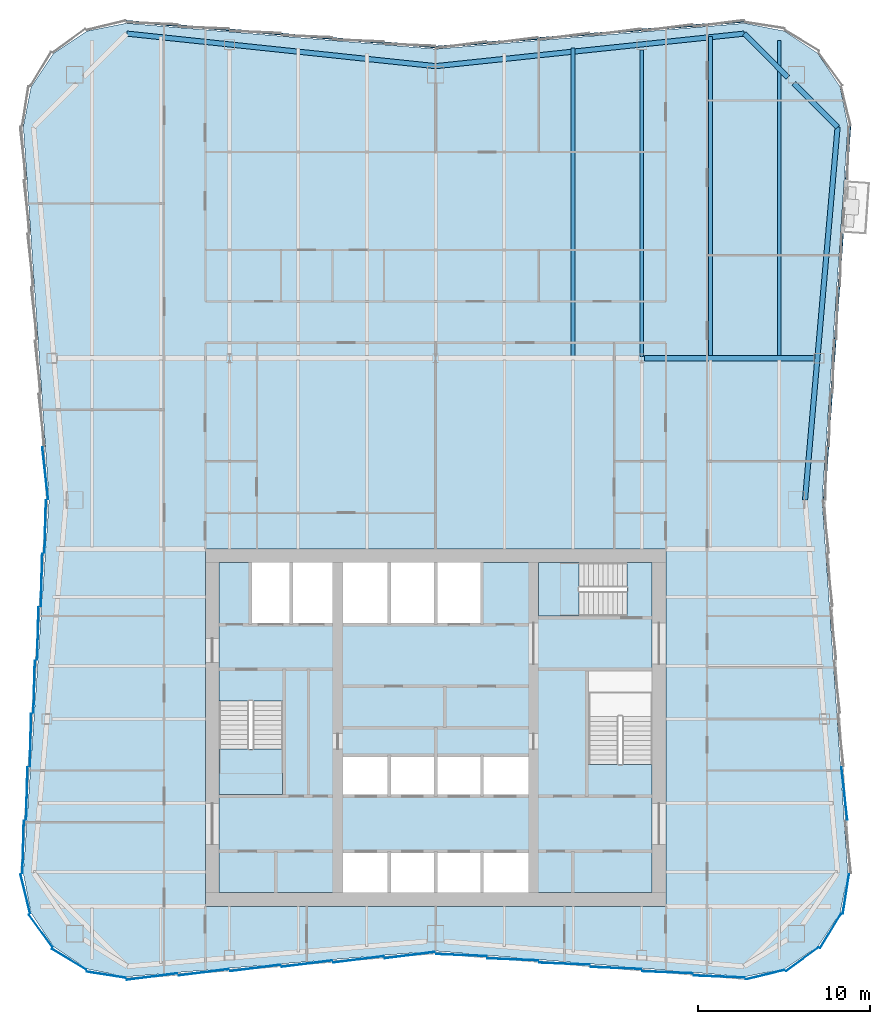
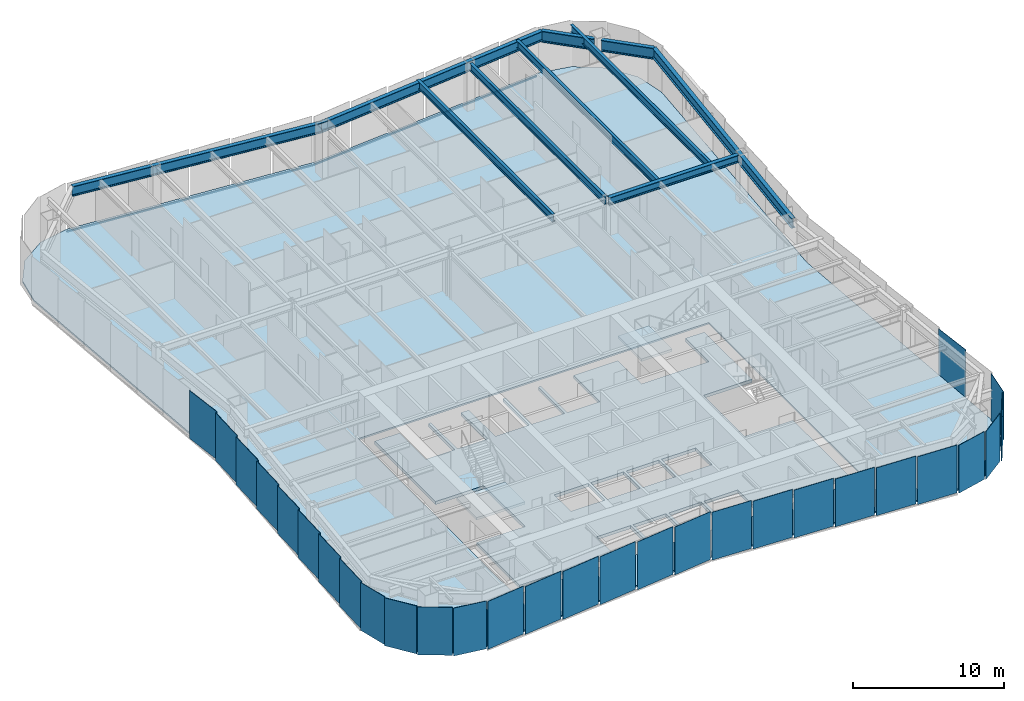
# One storey, part 4 of 12: 29 plates, 10 beams, 4 members, 4 slabs, 8 elements without a shape of their own.
"""IFC4 building model written with IfcOpenShell, lengths in metres."""

from ifc_helpers import new_model, si_unit, direction, frame, origin, origin_2d, place, context, subcontext, project, spatial, polyline, rectangle, i_section, outline, extrude, material, layer, layer_set, material_profile, profile_set, type_object, element, aggregate, save


model = new_model("IFC4")

# Units and contexts
model_context = context("Model", 3, precision=1e-05, world=origin(), true_north=direction((0.0, 1.0)))
body_context = subcontext(model_context, "Body", "Model", "MODEL_VIEW")
ifc_project = project(units=[si_unit("LENGTHUNIT", "METRE"), si_unit("AREAUNIT", "SQUARE_METRE"), si_unit("VOLUMEUNIT", "CUBIC_METRE"), si_unit("PLANEANGLEUNIT", "RADIAN"), si_unit("MASSUNIT", "GRAM", prefix="KILO")], contexts=[model_context])

# Site, building, storey
site_placement = place(None, origin())
site = spatial("IfcSite", under=ifc_project, at=site_placement, CompositionType="ELEMENT")
building_placement = place(site_placement, origin())
building = spatial("IfcBuilding", under=site, at=building_placement, Name="Verdant Reach Tower", CompositionType="ELEMENT")
storey_placement = place(building_placement, frame((0.0, 0.0, 242.0)))
storey = spatial("IfcBuildingStorey", under=building, at=storey_placement, Name="L55", CompositionType="ELEMENT", Elevation=242.0)

# Curtain wall, members
ifc_material_1 = material(Name="Anodised aluminium", Category="aluminium")
curtain_wall_type = type_object("IfcCurtainWallType", Name="EN-CW SYSTEM Z4", PredefinedType="NOTDEFINED", material=ifc_material_1)
curtain_wall_1_placement = place(storey_placement, origin())
curtain_wall_1 = element("IfcCurtainWall", 1, at=curtain_wall_1_placement, inside=storey, type_object=curtain_wall_type, Name="Curtain wall east, L55", PredefinedType="NOTDEFINED")
ifc_material_profile_1 = material_profile(ifc_material_1, rectangle(XDim=0.10009765625, YDim=0.1279296875, at=origin_2d()), Name="Transom 128x100")
ifc_profile_set_1 = profile_set([ifc_material_profile_1], Name="Anodised aluminium")
member_type = type_object("IfcMemberType", Name="EN-TRANSOM Z4", PredefinedType="USERDEFINED", material=ifc_profile_set_1)
member_1_placement = place(storey_placement, frame((22.6142578125, 41.283935546875, -0.285888671875), z_axis=(0.068829665926, 0.997628426363, 0.0), x_axis=(-0.997628426363, 0.068829665926, 0.0)))
member_1 = element("IfcMember", 2, at=member_1_placement, type_object=member_type, Name="Transom east face part 2 1.1, L55", ObjectType="TRANSOM", PredefinedType="USERDEFINED", context=body_context, shape_type="SweptSolid", body=[
    extrude(rectangle(XDim=0.10009765625, YDim=0.1279296875, at=origin_2d()), origin(), (0.0, 0.0, 1.0), 15.4970703125),
])
member_2_placement = place(storey_placement, frame((23.899658203125, 59.919189453125, -0.285888671875), z_axis=(0.068509214601, 0.997650483644, 0.0), x_axis=(-0.997650483644, 0.068509214601, 0.0)))
member_2 = element("IfcMember", 3, at=member_2_placement, type_object=member_type, Name="Transom east face part 2 2.1, L55", ObjectType="TRANSOM", PredefinedType="USERDEFINED", context=body_context, shape_type="SweptSolid", body=[
    extrude(rectangle(XDim=0.10009765625, YDim=0.1279296875, at=origin_2d()), origin(), (0.0, 0.0, 1.0), 3.06103515625),
])

curtain_wall_2_placement = place(storey_placement, origin())
curtain_wall_2 = element("IfcCurtainWall", 4, at=curtain_wall_2_placement, inside=storey, type_object=curtain_wall_type, Name="Curtain wall north, L55", PredefinedType="NOTDEFINED")
member_3_placement = place(storey_placement, frame((17.972412109375, 69.10888671875, -0.285888671875), z_axis=(-0.996549124771, -0.083005071637, 0.0), x_axis=(0.083005071637, -0.996549124771, 0.0)))
member_3 = element("IfcMember", 5, at=member_3_placement, type_object=member_type, Name="Transom north face part 1 1.1, L55", ObjectType="TRANSOM", PredefinedType="USERDEFINED", context=body_context, shape_type="SweptSolid", body=[
    extrude(rectangle(XDim=0.10009765625, YDim=0.1279296875, at=origin_2d()), origin(), (0.0, 0.0, 1.0), 18.00048828125),
])
member_4_placement = place(storey_placement, frame((-0.033935546875, 67.61474609375, -0.285888671875), z_axis=(-0.996549124771, 0.083005071637, 0.0), x_axis=(-0.083005071637, -0.996549124771, 0.0)))
member_4 = element("IfcMember", 6, at=member_4_placement, type_object=member_type, Name="Transom north face part 2 1.1, L55", ObjectType="TRANSOM", PredefinedType="USERDEFINED", context=body_context, shape_type="SweptSolid", body=[
    extrude(rectangle(XDim=0.10009765625, YDim=0.1279296875, at=origin_2d()), origin(), (0.0, 0.0, 1.0), 18.00048828125),
])
aggregate(curtain_wall_2, [member_3, member_4])

# Beams
ifc_material_2 = material(Name="Steel S355", Category="steel")
ifc_material_profile_2 = material_profile(ifc_material_2, i_section(OverallWidth=0.300048828125, OverallDepth=0.60009765625, WebThickness=0.015380859375, FlangeThickness=0.030029296875, FilletRadius=0.027099609375, at=origin_2d()), Name="HEB 600")
ifc_profile_set_2 = profile_set([ifc_material_profile_2], Name="Steel S355")
beam_type_1 = type_object("IfcBeamType", Name="ST-BEAM-HEB600", PredefinedType="BEAM", material=ifc_profile_set_2)
beam_1_placement = place(storey_placement, frame((12.153076171875, 49.5, 3.570068359375), z_axis=(1.0, 0.0, 0.0), x_axis=(0.0, 1.0, 0.0)))
element("IfcBeam", 7, at=beam_1_placement, inside=storey, type_object=beam_type_1, Name="Row girder, L55", PredefinedType="BEAM", context=body_context, shape_type="SweptSolid", body=[
    extrude(i_section(OverallWidth=0.300048828125, OverallDepth=0.60009765625, WebThickness=0.015380859375, FlangeThickness=0.030029296875, FilletRadius=0.027099609375, at=origin_2d()), origin(), (0.0, 0.0, 1.0), 9.865966796875),
])
ifc_material_profile_3 = material_profile(ifc_material_2, i_section(OverallWidth=0.219970703125, OverallDepth=0.60009765625, WebThickness=0.011962890625, FlangeThickness=0.01904296875, FilletRadius=0.02392578125, at=origin_2d()), Name="IPE 600")
ifc_profile_set_3 = profile_set([ifc_material_profile_3], Name="Steel S355")
beam_type_2 = type_object("IfcBeamType", Name="ST-JOIST-IPE600", PredefinedType="JOIST", material=ifc_profile_set_3)
beam_2_placement = place(storey_placement, frame((8.0, 49.60009765625, 3.570068359375), z_axis=(0.0, 1.0, 0.0), x_axis=(-1.0, 0.0, 0.0)))
element("IfcBeam", 8, at=beam_2_placement, inside=storey, type_object=beam_type_2, Name="Floor joist, L55", PredefinedType="JOIST", context=body_context, shape_type="SweptSolid", body=[
    extrude(i_section(OverallWidth=0.219970703125, OverallDepth=0.60009765625, WebThickness=0.011962890625, FlangeThickness=0.01904296875, FilletRadius=0.02392578125, at=origin_2d()), origin(), (0.0, 0.0, 1.0), 17.964599609375),
])
beam_3_placement = place(storey_placement, frame((12.0, 49.60009765625, 3.570068359375), z_axis=(0.0, 1.0, 0.0), x_axis=(-1.0, 0.0, 0.0)))
element("IfcBeam", 9, at=beam_3_placement, inside=storey, type_object=beam_type_2, Name="Floor joist, L55", PredefinedType="JOIST", context=body_context, shape_type="SweptSolid", body=[
    extrude(i_section(OverallWidth=0.219970703125, OverallDepth=0.60009765625, WebThickness=0.011962890625, FlangeThickness=0.01904296875, FilletRadius=0.02392578125, at=origin_2d()), origin(), (0.0, 0.0, 1.0), 17.849853515625),
])
beam_4_placement = place(storey_placement, frame((16.0, 49.60009765625, 3.570068359375), z_axis=(0.0, 1.0, 0.0), x_axis=(-1.0, 0.0, 0.0)))
element("IfcBeam", 10, at=beam_4_placement, inside=storey, type_object=beam_type_2, Name="Floor joist, L55", PredefinedType="JOIST", context=body_context, shape_type="SweptSolid", body=[
    extrude(i_section(OverallWidth=0.219970703125, OverallDepth=0.60009765625, WebThickness=0.011962890625, FlangeThickness=0.01904296875, FilletRadius=0.02392578125, at=origin_2d()), origin(), (0.0, 0.0, 1.0), 18.631103515625),
])
beam_5_placement = place(storey_placement, frame((20.0, 49.60009765625, 3.570068359375), z_axis=(0.0, 1.0, 0.0), x_axis=(-1.0, 0.0, 0.0)))
element("IfcBeam", 11, at=beam_5_placement, inside=storey, type_object=beam_type_2, Name="Floor joist, L55", PredefinedType="JOIST", context=body_context, shape_type="SweptSolid", body=[
    extrude(i_section(OverallWidth=0.219970703125, OverallDepth=0.60009765625, WebThickness=0.011962890625, FlangeThickness=0.01904296875, FilletRadius=0.02392578125, at=origin_2d()), origin(), (0.0, 0.0, 1.0), 18.390380859375),
])
ifc_material_profile_4 = material_profile(ifc_material_2, i_section(OverallWidth=0.300048828125, OverallDepth=0.800048828125, WebThickness=0.017578125, FlangeThickness=0.032958984375, FilletRadius=0.030029296875, at=origin_2d()), Name="HEB 800")
ifc_profile_set_4 = profile_set([ifc_material_profile_4], Name="Steel S355")
beam_type_3 = type_object("IfcBeamType", Name="ST-SPANDREL-HEB800", PredefinedType="SPANDREL", material=ifc_profile_set_4)
for number, where, z_axis, x_axis, name in (
    (12, (-17.9658203125, 68.39501953125, 3.469970703125), (0.994483067002, -0.104897232783, 0.0), (0.104897232783, 0.994483067002, 0.0), "Edge beam, L55"),
    (13, (0.0, 66.5, 3.469970703125), (0.994483067002, 0.104897232783, 0.0), (-0.104897232783, 0.994483067002, 0.0), "Edge beam, L55"),
):
    element("IfcBeam", number, at=place(storey_placement, frame(where, z_axis=z_axis, x_axis=x_axis)), inside=storey, type_object=beam_type_3, Name=name, PredefinedType="SPANDREL", context=body_context, shape_type="SweptSolid", body=[
        extrude(i_section(OverallWidth=0.300048828125, OverallDepth=0.800048828125, WebThickness=0.017578125, FlangeThickness=0.032958984375, FilletRadius=0.030029296875, at=origin_2d()), origin(), (0.0, 0.0, 1.0), 18.0654296875),
    ])
beam_6_placement = place(storey_placement, frame((23.39599609375, 62.96142578125, 3.469970703125), z_axis=(-0.086996024331, -0.996208658741, 0.0), x_axis=(0.996208658741, -0.086996024331, 0.0)))
element("IfcBeam", 14, at=beam_6_placement, inside=storey, type_object=beam_type_3, Name="Edge beam, L55", PredefinedType="SPANDREL", context=body_context, shape_type="SweptSolid", body=[
    extrude(i_section(OverallWidth=0.300048828125, OverallDepth=0.800048828125, WebThickness=0.017578125, FlangeThickness=0.032958984375, FilletRadius=0.030029296875, at=origin_2d()), origin(), (0.0, 0.0, 1.0), 21.7939453125),
])
ifc_material_profile_5 = material_profile(ifc_material_2, i_section(OverallWidth=0.302001953125, OverallDepth=0.909912109375, WebThickness=0.02099609375, FlangeThickness=0.0400390625, FilletRadius=0.030029296875, at=origin_2d()), Name="HEM 900")
ifc_profile_set_5 = profile_set([ifc_material_profile_5], Name="Steel S355")
beam_type_4 = type_object("IfcBeamType", Name="ST-SPANDREL-HEM900", PredefinedType="SPANDREL", material=ifc_profile_set_5)
beam_7_placement = place(storey_placement, frame((17.9658203125, 68.39501953125, 3.4150390625), z_axis=(0.706868394255, -0.707345087777, 0.0), x_axis=(0.707345087777, 0.706868394255, 0.0)))
element("IfcBeam", 15, at=beam_7_placement, inside=storey, type_object=beam_type_4, Name="Edge beam, L55", PredefinedType="SPANDREL", context=body_context, shape_type="SweptSolid", body=[
    extrude(i_section(OverallWidth=0.302001953125, OverallDepth=0.909912109375, WebThickness=0.02099609375, FlangeThickness=0.0400390625, FilletRadius=0.030029296875, at=origin_2d()), origin(), (0.0, 0.0, 1.0), 3.5849609375),
])
beam_8_placement = place(storey_placement, frame((20.85888671875, 65.5, 3.4150390625), z_axis=(0.706902680526, -0.707310822952, 0.0), x_axis=(0.707310822952, 0.706902680526, 0.0)))
element("IfcBeam", 16, at=beam_8_placement, inside=storey, type_object=beam_type_4, Name="Edge beam, L55", PredefinedType="SPANDREL", context=body_context, shape_type="SweptSolid", body=[
    extrude(i_section(OverallWidth=0.302001953125, OverallDepth=0.909912109375, WebThickness=0.02099609375, FlangeThickness=0.0400390625, FilletRadius=0.030029296875, at=origin_2d()), origin(), (0.0, 0.0, 1.0), 3.589111328125),
])

# Stair, slab
ifc_material_3 = material(Name="Concrete C40/50", Category="concrete")
stair_type = type_object("IfcStairType", Name="CO-STAIR", PredefinedType="HALF_TURN_STAIR", material=ifc_material_3)
stair_1_placement = place(storey_placement, origin())
stair_1 = element("IfcStair", 17, at=stair_1_placement, inside=storey, type_object=stair_type, Name="L55 Exit stair 1", PredefinedType="HALF_TURN_STAIR")
ifc_layer_1 = layer(ifc_material_3, 0.199951171875)
ifc_layer_set_1 = layer_set([ifc_layer_1], Name="CO-STAIR-LANDING")
slab_type_1 = type_object("IfcSlabType", Name="CO-STAIR-LANDING", PredefinedType="LANDING", material=ifc_layer_set_1)
slab_1_placement = place(storey_placement, frame((0.0, 0.0, 1.800048828125)))
slab_1 = element("IfcSlab", 18, at=slab_1_placement, type_object=slab_type_1, Name="ST-1 landing 1", PredefinedType="LANDING", context=body_context, shape_type="SweptSolid", body=[
    extrude(outline(polyline([(-12.60009765625, 26.75), (-12.60009765625, 24.10009765625), (-8.89990234375, 24.10009765625), (-8.89990234375, 26.75), (-12.60009765625, 26.75)])), origin(), (0.0, 0.0, 1.0), 0.199951171875),
])
aggregate(stair_1, [slab_1])

stair_2_placement = place(storey_placement, origin())
stair_2 = element("IfcStair", 19, at=stair_2_placement, inside=storey, type_object=stair_type, Name="L55 Exit stair 3", PredefinedType="HALF_TURN_STAIR")
slab_2_placement = place(storey_placement, frame((0.0, 0.0, 1.800048828125)))
slab_2 = element("IfcSlab", 20, at=slab_2_placement, type_object=slab_type_1, Name="ST-3 landing 1", PredefinedType="LANDING", context=body_context, shape_type="SweptSolid", body=[
    extrude(outline(polyline([(8.35009765625, 37.60009765625), (6.0, 37.60009765625), (6.0, 34.5), (8.35009765625, 34.5), (8.35009765625, 37.60009765625)])), origin(), (0.0, 0.0, 1.0), 0.199951171875),
])
aggregate(stair_2, [slab_2])

# Curtain wall, plates
curtain_wall_3_placement = place(storey_placement, origin())
curtain_wall_3 = element("IfcCurtainWall", 21, at=curtain_wall_3_placement, inside=storey, type_object=curtain_wall_type, Name="Curtain wall west, L55", PredefinedType="NOTDEFINED")
ifc_material_4 = material(Name="Tinted glass with champagne spandrel", Category="glass")
ifc_layer_2 = layer(ifc_material_4, 0.031982421875)
ifc_layer_set_2 = layer_set([ifc_layer_2], Name="EN-PANEL CHAMPAGNE")
plate_type_1 = type_object("IfcPlateType", Name="EN-PANEL CHAMPAGNE", PredefinedType="CURTAIN_PANEL", material=ifc_layer_set_2)
plate_1_placement = place(storey_placement, frame((-22.718994140625, 42.7998046875, -0.221923828125), z_axis=(0.0, 0.0, 1.0), x_axis=(0.110603065042, -0.993864659802, 0.0)))
plate_1 = element("IfcPlate", 22, at=plate_1_placement, type_object=plate_type_1, Name="Glass panel west face part 1 7.1, L55", PredefinedType="CURTAIN_PANEL", context=body_context, shape_type="SweptSolid", body=[
    extrude(rectangle(XDim=3.042724609375, YDim=0.031982421875, at=origin_2d()), origin(), (0.0, 0.0, 1.0), 3.8720703125),
])
plate_2_placement = place(storey_placement, frame((-22.718994140625, 39.7001953125, -0.221923828125), z_axis=(0.0, 0.0, 1.0), x_axis=(-0.027050713229, -0.999634062502, 0.0)))
plate_2 = element("IfcPlate", 23, at=plate_2_placement, type_object=plate_type_1, Name="Glass panel west face part 2 1.1, L55", PredefinedType="CURTAIN_PANEL", context=body_context, shape_type="SweptSolid", body=[
    extrude(rectangle(XDim=3.042724609375, YDim=0.031982421875, at=origin_2d()), origin(), (0.0, 0.0, 1.0), 3.8720703125),
])
plate_3_placement = place(storey_placement, frame((-22.93310546875, 36.596923828125, -0.221923828125), z_axis=(0.0, 0.0, 1.0), x_axis=(-0.026965318308, -0.999636369691, 0.0)))
plate_3 = element("IfcPlate", 24, at=plate_3_placement, type_object=plate_type_1, Name="Glass panel west face part 2 2.1, L55", PredefinedType="CURTAIN_PANEL", context=body_context, shape_type="SweptSolid", body=[
    extrude(rectangle(XDim=3.050537109375, YDim=0.031982421875, at=origin_2d()), origin(), (0.0, 0.0, 1.0), 3.8720703125),
])
plate_4_placement = place(storey_placement, frame((-23.1474609375, 33.48974609375, -0.221923828125), z_axis=(0.0, 0.0, 1.0), x_axis=(-0.026965318308, -0.999636369691, 0.0)))
plate_4 = element("IfcPlate", 25, at=plate_4_placement, type_object=plate_type_1, Name="Glass panel west face part 2 3.1, L55", PredefinedType="CURTAIN_PANEL", context=body_context, shape_type="SweptSolid", body=[
    extrude(rectangle(XDim=3.050537109375, YDim=0.031982421875, at=origin_2d()), origin(), (0.0, 0.0, 1.0), 3.8720703125),
])

# Curtain wall, plate
curtain_wall_4_placement = place(storey_placement, origin())
curtain_wall_4 = element("IfcCurtainWall", 26, at=curtain_wall_4_placement, inside=storey, type_object=curtain_wall_type, Name="Curtain wall south-west corner, L55", PredefinedType="NOTDEFINED")
plate_5_placement = place(storey_placement, frame((-23.87939453125, 18.326904296875, -0.221923828125), z_axis=(0.0, 0.0, 1.0), x_axis=(0.236458850433, -0.971641503875, 0.0)))
plate_5 = element("IfcPlate", 27, at=plate_5_placement, type_object=plate_type_1, Name="Glass panel south-west corner 1.1, L55", PredefinedType="CURTAIN_PANEL", context=body_context, shape_type="SweptSolid", body=[
    extrude(rectangle(XDim=2.313720703125, YDim=0.031982421875, at=origin_2d()), origin(), (0.0, 0.0, 1.0), 3.8720703125),
])

# Curtain wall, plates
curtain_wall_5_placement = place(storey_placement, origin())
curtain_wall_5 = element("IfcCurtainWall", 28, at=curtain_wall_5_placement, inside=storey, type_object=curtain_wall_type, Name="Curtain wall south, L55", PredefinedType="NOTDEFINED")
plate_6_placement = place(storey_placement, frame((-4.49072265625, 14.513427734375, -0.221923828125), z_axis=(0.0, 0.0, 1.0), x_axis=(0.992194034542, 0.124703639961, 0.0)))
plate_6 = element("IfcPlate", 29, at=plate_6_placement, type_object=plate_type_1, Name="Glass panel south face part 1 5.1, L55", PredefinedType="CURTAIN_PANEL", context=body_context, shape_type="SweptSolid", body=[
    extrude(rectangle(XDim=2.9462890625, YDim=0.031982421875, at=origin_2d()), origin(), (0.0, 0.0, 1.0), 3.8720703125),
])
plate_7_placement = place(storey_placement, frame((-1.495361328125, 14.76318359375, -0.221923828125), z_axis=(0.0, 0.0, 1.0), x_axis=(0.992177950603, 0.124831543836, 0.0)))
plate_7 = element("IfcPlate", 30, at=plate_7_placement, type_object=plate_type_1, Name="Glass panel south face part 1 6.1, L55", PredefinedType="CURTAIN_PANEL", context=body_context, shape_type="SweptSolid", body=[
    extrude(rectangle(XDim=2.93701171875, YDim=0.031982421875, at=origin_2d()), origin(), (0.0, 0.0, 1.0), 3.8720703125),
])
plate_8_placement = place(storey_placement, frame((1.495361328125, 14.76318359375, -0.221923828125), z_axis=(0.0, 0.0, 1.0), x_axis=(0.999143877249, -0.041370430933, 0.0)))
plate_8 = element("IfcPlate", 31, at=plate_8_placement, type_object=plate_type_1, Name="Glass panel south face part 2 1.1, L55", PredefinedType="CURTAIN_PANEL", context=body_context, shape_type="SweptSolid", body=[
    extrude(rectangle(XDim=2.93701171875, YDim=0.031982421875, at=origin_2d()), origin(), (0.0, 0.0, 1.0), 3.8720703125),
])

curtain_wall_6_placement = place(storey_placement, origin())
curtain_wall_6 = element("IfcCurtainWall", 32, at=curtain_wall_6_placement, inside=storey, type_object=curtain_wall_type, Name="Curtain wall south-east corner, L55", PredefinedType="NOTDEFINED")
ifc_material_5 = material(Name="Tinted glass with copper spandrel", Category="glass")
ifc_layer_3 = layer(ifc_material_5, 0.031982421875)
ifc_layer_set_3 = layer_set([ifc_layer_3], Name="EN-PANEL COPPER")
plate_type_2 = type_object("IfcPlateType", Name="EN-PANEL COPPER", PredefinedType="CURTAIN_PANEL", material=ifc_layer_set_3)
plate_9_placement = place(storey_placement, frame((19.172607421875, 13.62060546875, -0.221923828125), z_axis=(0.0, 0.0, 1.0), x_axis=(0.971652337104, 0.236414330786, 0.0)))
plate_9 = element("IfcPlate", 33, at=plate_9_placement, type_object=plate_type_2, Name="Glass panel south-east corner 1.1, L55", PredefinedType="CURTAIN_PANEL", context=body_context, shape_type="SweptSolid", body=[
    extrude(rectangle(XDim=2.314453125, YDim=0.031982421875, at=origin_2d()), origin(), (0.0, 0.0, 1.0), 3.8720703125),
])
plate_10_placement = place(storey_placement, frame((21.330322265625, 14.515625, -0.221923828125), z_axis=(0.0, 0.0, 1.0), x_axis=(0.80745677573, 0.589926737254, 0.0)))
plate_10 = element("IfcPlate", 34, at=plate_10_placement, type_object=plate_type_2, Name="Glass panel south-east corner 2.1, L55", PredefinedType="CURTAIN_PANEL", context=body_context, shape_type="SweptSolid", body=[
    extrude(rectangle(XDim=2.32080078125, YDim=0.031982421875, at=origin_2d()), origin(), (0.0, 0.0, 1.0), 3.8720703125),
])

# Plate
plate_11_placement = place(storey_placement, frame((-23.36181640625, 30.3828125, -0.221923828125), z_axis=(0.0, 0.0, 1.0), x_axis=(-0.026965318308, -0.999636369691, 0.0)))
plate_11 = element("IfcPlate", 35, at=plate_11_placement, type_object=plate_type_2, Name="Glass panel west face part 2 4.1, L55", PredefinedType="CURTAIN_PANEL", context=body_context, shape_type="SweptSolid", body=[
    extrude(rectangle(XDim=3.050537109375, YDim=0.031982421875, at=origin_2d()), origin(), (0.0, 0.0, 1.0), 3.8720703125),
])

plate_12_placement = place(storey_placement, frame((-23.575927734375, 27.275634765625, -0.221923828125), z_axis=(0.0, 0.0, 1.0), x_axis=(-0.026965318308, -0.999636369691, 0.0)))
plate_12 = element("IfcPlate", 36, at=plate_12_placement, type_object=plate_type_2, Name="Glass panel west face part 2 5.1, L55", PredefinedType="CURTAIN_PANEL", context=body_context, shape_type="SweptSolid", body=[
    extrude(rectangle(XDim=3.050537109375, YDim=0.031982421875, at=origin_2d()), origin(), (0.0, 0.0, 1.0), 3.8720703125),
])

plate_13_placement = place(storey_placement, frame((-22.984375, 16.169677734375, -0.221923828125), z_axis=(0.0, 0.0, 1.0), x_axis=(0.589926737254, -0.80745677573, 0.0)))
plate_13 = element("IfcPlate", 37, at=plate_13_placement, type_object=plate_type_2, Name="Glass panel south-west corner 2.1, L55", PredefinedType="CURTAIN_PANEL", context=body_context, shape_type="SweptSolid", body=[
    extrude(rectangle(XDim=2.32080078125, YDim=0.031982421875, at=origin_2d()), origin(), (0.0, 0.0, 1.0), 3.8720703125),
])

plate_14_placement = place(storey_placement, frame((-21.330322265625, 14.515625, -0.221923828125), z_axis=(0.0, 0.0, 1.0), x_axis=(0.853988708265, -0.520291539577, 0.0)))
plate_14 = element("IfcPlate", 38, at=plate_14_placement, type_object=plate_type_2, Name="Glass panel south-west corner 3.1, L55", PredefinedType="CURTAIN_PANEL", context=body_context, shape_type="SweptSolid", body=[
    extrude(rectangle(XDim=2.32080078125, YDim=0.031982421875, at=origin_2d()), origin(), (0.0, 0.0, 1.0), 3.8720703125),
])

plate_15_placement = place(storey_placement, frame((-19.172607421875, 13.62060546875, -0.221923828125), z_axis=(0.0, 0.0, 1.0), x_axis=(0.98802725693, -0.154279420415, 0.0)))
plate_15 = element("IfcPlate", 39, at=plate_15_placement, type_object=plate_type_2, Name="Glass panel south-west corner 4.1, L55", PredefinedType="CURTAIN_PANEL", context=body_context, shape_type="SweptSolid", body=[
    extrude(rectangle(XDim=2.314453125, YDim=0.031982421875, at=origin_2d()), origin(), (0.0, 0.0, 1.0), 3.8720703125),
])

aggregate(curtain_wall_4, [plate_5, plate_13, plate_14, plate_15])

plate_16_placement = place(storey_placement, frame((-16.49853515625, 13.51318359375, -0.221923828125), z_axis=(0.0, 0.0, 1.0), x_axis=(0.992238962139, 0.124345655383, 0.0)))
plate_16 = element("IfcPlate", 40, at=plate_16_placement, type_object=plate_type_2, Name="Glass panel south face part 1 1.1, L55", PredefinedType="CURTAIN_PANEL", context=body_context, shape_type="SweptSolid", body=[
    extrude(rectangle(XDim=2.9619140625, YDim=0.031982421875, at=origin_2d()), origin(), (0.0, 0.0, 1.0), 3.8720703125),
])

plate_17_placement = place(storey_placement, frame((-13.49072265625, 13.763427734375, -0.221923828125), z_axis=(0.0, 0.0, 1.0), x_axis=(0.992194034542, 0.124703639961, 0.0)))
plate_17 = element("IfcPlate", 41, at=plate_17_placement, type_object=plate_type_2, Name="Glass panel south face part 1 2.1, L55", PredefinedType="CURTAIN_PANEL", context=body_context, shape_type="SweptSolid", body=[
    extrude(rectangle(XDim=2.9462890625, YDim=0.031982421875, at=origin_2d()), origin(), (0.0, 0.0, 1.0), 3.8720703125),
])

plate_18_placement = place(storey_placement, frame((4.49072265625, 14.513427734375, -0.221923828125), z_axis=(0.0, 0.0, 1.0), x_axis=(0.999149202059, -0.041241629766, 0.0)))
plate_18 = element("IfcPlate", 42, at=plate_18_placement, type_object=plate_type_2, Name="Glass panel south face part 2 2.1, L55", PredefinedType="CURTAIN_PANEL", context=body_context, shape_type="SweptSolid", body=[
    extrude(rectangle(XDim=2.9462890625, YDim=0.031982421875, at=origin_2d()), origin(), (0.0, 0.0, 1.0), 3.8720703125),
])

plate_19_placement = place(storey_placement, frame((7.49072265625, 14.263427734375, -0.221923828125), z_axis=(0.0, 0.0, 1.0), x_axis=(0.999149202059, -0.041241629766, 0.0)))
plate_19 = element("IfcPlate", 43, at=plate_19_placement, type_object=plate_type_2, Name="Glass panel south face part 2 3.1, L55", PredefinedType="CURTAIN_PANEL", context=body_context, shape_type="SweptSolid", body=[
    extrude(rectangle(XDim=2.9462890625, YDim=0.031982421875, at=origin_2d()), origin(), (0.0, 0.0, 1.0), 3.8720703125),
])

ifc_material_6 = material(Name="Tinted glass with dark bronze spandrel", Category="glass")
ifc_layer_4 = layer(ifc_material_6, 0.031982421875)
ifc_layer_set_4 = layer_set([ifc_layer_4], Name="EN-PANEL DARK")
plate_type_3 = type_object("IfcPlateType", Name="EN-PANEL DARK", PredefinedType="CURTAIN_PANEL", material=ifc_layer_set_4)
plate_20_placement = place(storey_placement, frame((22.984375, 16.169677734375, -0.221923828125), z_axis=(0.0, 0.0, 1.0), x_axis=(0.520291539577, 0.853988708265, 0.0)))
plate_20 = element("IfcPlate", 44, at=plate_20_placement, type_object=plate_type_3, Name="Glass panel south-east corner 3.1, L55", PredefinedType="CURTAIN_PANEL", context=body_context, shape_type="SweptSolid", body=[
    extrude(rectangle(XDim=2.32080078125, YDim=0.031982421875, at=origin_2d()), origin(), (0.0, 0.0, 1.0), 3.8720703125),
])

plate_21_placement = place(storey_placement, frame((23.87939453125, 18.326904296875, -0.221923828125), z_axis=(0.0, 0.0, 1.0), x_axis=(0.154324690427, 0.988020187003, 0.0)))
plate_21 = element("IfcPlate", 45, at=plate_21_placement, type_object=plate_type_3, Name="Glass panel south-east corner 4.1, L55", PredefinedType="CURTAIN_PANEL", context=body_context, shape_type="SweptSolid", body=[
    extrude(rectangle(XDim=2.313720703125, YDim=0.031982421875, at=origin_2d()), origin(), (0.0, 0.0, 1.0), 3.8720703125),
])

aggregate(curtain_wall_6, [plate_9, plate_10, plate_20, plate_21])

plate_22_placement = place(storey_placement, frame((23.790283203125, 24.16845703125, -0.221923828125), z_axis=(0.0, 0.0, 1.0), x_axis=(-0.110518162674, 0.993874104562, 0.0)))
plate_22 = element("IfcPlate", 46, at=plate_22_placement, type_object=plate_type_3, Name="Glass panel east face part 1 2.1, L55", PredefinedType="CURTAIN_PANEL", context=body_context, shape_type="SweptSolid", body=[
    extrude(rectangle(XDim=3.050537109375, YDim=0.031982421875, at=origin_2d()), origin(), (0.0, 0.0, 1.0), 3.8720703125),
])

aggregate(curtain_wall_1, [plate_22, member_1, member_2])

plate_23_placement = place(storey_placement, frame((-23.790283203125, 24.16845703125, -0.221923828125), z_axis=(0.0, 0.0, 1.0), x_axis=(-0.026965318308, -0.999636369691, 0.0)))
plate_23 = element("IfcPlate", 47, at=plate_23_placement, type_object=plate_type_3, Name="Glass panel west face part 2 6.1, L55", PredefinedType="CURTAIN_PANEL", context=body_context, shape_type="SweptSolid", body=[
    extrude(rectangle(XDim=3.050537109375, YDim=0.031982421875, at=origin_2d()), origin(), (0.0, 0.0, 1.0), 3.8720703125),
])

plate_24_placement = place(storey_placement, frame((-24.004638671875, 21.053955078125, -0.221923828125), z_axis=(0.0, 0.0, 1.0), x_axis=(-0.026651253217, -0.999644792265, 0.0)))
plate_24 = element("IfcPlate", 48, at=plate_24_placement, type_object=plate_type_3, Name="Glass panel west face part 2 7.1, L55", PredefinedType="CURTAIN_PANEL", context=body_context, shape_type="SweptSolid", body=[
    extrude(rectangle(XDim=3.0654296875, YDim=0.031982421875, at=origin_2d()), origin(), (0.0, 0.0, 1.0), 3.8720703125),
])

aggregate(curtain_wall_3, [plate_1, plate_2, plate_3, plate_4, plate_11, plate_12, plate_23, plate_24])

plate_25_placement = place(storey_placement, frame((-10.49072265625, 14.013427734375, -0.221923828125), z_axis=(0.0, 0.0, 1.0), x_axis=(0.992194034542, 0.124703639961, 0.0)))
plate_25 = element("IfcPlate", 49, at=plate_25_placement, type_object=plate_type_3, Name="Glass panel south face part 1 3.1, L55", PredefinedType="CURTAIN_PANEL", context=body_context, shape_type="SweptSolid", body=[
    extrude(rectangle(XDim=2.9462890625, YDim=0.031982421875, at=origin_2d()), origin(), (0.0, 0.0, 1.0), 3.8720703125),
])

plate_26_placement = place(storey_placement, frame((-7.49072265625, 14.263427734375, -0.221923828125), z_axis=(0.0, 0.0, 1.0), x_axis=(0.992194034542, 0.124703639961, 0.0)))
plate_26 = element("IfcPlate", 50, at=plate_26_placement, type_object=plate_type_3, Name="Glass panel south face part 1 4.1, L55", PredefinedType="CURTAIN_PANEL", context=body_context, shape_type="SweptSolid", body=[
    extrude(rectangle(XDim=2.9462890625, YDim=0.031982421875, at=origin_2d()), origin(), (0.0, 0.0, 1.0), 3.8720703125),
])

plate_27_placement = place(storey_placement, frame((10.49072265625, 14.013427734375, -0.221923828125), z_axis=(0.0, 0.0, 1.0), x_axis=(0.999149202059, -0.041241629766, 0.0)))
plate_27 = element("IfcPlate", 51, at=plate_27_placement, type_object=plate_type_3, Name="Glass panel south face part 2 4.1, L55", PredefinedType="CURTAIN_PANEL", context=body_context, shape_type="SweptSolid", body=[
    extrude(rectangle(XDim=2.9462890625, YDim=0.031982421875, at=origin_2d()), origin(), (0.0, 0.0, 1.0), 3.8720703125),
])

plate_28_placement = place(storey_placement, frame((13.49072265625, 13.763427734375, -0.221923828125), z_axis=(0.0, 0.0, 1.0), x_axis=(0.999149202059, -0.041241629766, 0.0)))
plate_28 = element("IfcPlate", 52, at=plate_28_placement, type_object=plate_type_3, Name="Glass panel south face part 2 5.1, L55", PredefinedType="CURTAIN_PANEL", context=body_context, shape_type="SweptSolid", body=[
    extrude(rectangle(XDim=2.9462890625, YDim=0.031982421875, at=origin_2d()), origin(), (0.0, 0.0, 1.0), 3.8720703125),
])

plate_29_placement = place(storey_placement, frame((16.49853515625, 13.51318359375, -0.221923828125), z_axis=(0.0, 0.0, 1.0), x_axis=(0.999164016711, -0.040881141246, 0.0)))
plate_29 = element("IfcPlate", 53, at=plate_29_placement, type_object=plate_type_3, Name="Glass panel south face part 2 6.1, L55", PredefinedType="CURTAIN_PANEL", context=body_context, shape_type="SweptSolid", body=[
    extrude(rectangle(XDim=2.9619140625, YDim=0.031982421875, at=origin_2d()), origin(), (0.0, 0.0, 1.0), 3.8720703125),
])

aggregate(curtain_wall_5, [plate_16, plate_17, plate_25, plate_26, plate_6, plate_7, plate_8, plate_18, plate_19, plate_27, plate_28, plate_29])

# Slabs
ifc_material_7 = material(Name="Concrete C35/45", Category="concrete")
ifc_layer_5 = layer(ifc_material_7, 0.1298828125)
ifc_layer_set_5 = layer_set([ifc_layer_5], Name="ST-SLAB-130")
slab_type_2 = type_object("IfcSlabType", Name="ST-SLAB-130", PredefinedType="FLOOR", material=ifc_layer_set_5)
slab_3_placement = place(storey_placement, frame((0.0, 0.0, -0.1298828125)))
element("IfcSlab", 54, at=slab_3_placement, inside=storey, type_object=slab_type_2, Name="Floor slab L55", PredefinedType="FLOOR", context=body_context, shape_type="SweptSolid", body=[
    extrude(outline(polyline([(0.0, 15.0), (-18.0, 13.5), (-20.296142578125, 13.956787109375), (-22.24267578125, 15.25732421875), (-23.543212890625, 17.203857421875), (-24.0, 19.5), (-22.5, 41.25), (-24.0, 63.0), (-23.543212890625, 65.296142578125), (-22.24267578125, 67.24267578125), (-20.296142578125, 68.543212890625), (-18.0, 69.0), (0.0, 67.5), (18.0, 69.0), (20.296142578125, 68.543212890625), (22.24267578125, 67.24267578125), (23.543212890625, 65.296142578125), (24.0, 63.0), (22.5, 41.25), (24.0, 19.5), (23.543212890625, 17.203857421875), (22.24267578125, 15.25732421875), (20.296142578125, 13.956787109375), (18.0, 13.5), (0.0, 15.0)]), holes=[polyline([(13.39990234375, 38.39990234375), (-13.39990234375, 38.39990234375), (-13.39990234375, 17.60009765625), (13.39990234375, 17.60009765625), (13.39990234375, 38.39990234375)])]), origin(), (0.0, 0.0, 1.0), 0.1298828125),
])
ifc_layer_6 = layer(ifc_material_7, 0.25)
ifc_layer_set_6 = layer_set([ifc_layer_6], Name="ST-SLAB-250")
slab_type_3 = type_object("IfcSlabType", Name="ST-SLAB-250", PredefinedType="FLOOR", material=ifc_layer_set_6)
slab_4_placement = place(storey_placement, frame((0.0, 0.0, -0.25)))
element("IfcSlab", 55, at=slab_4_placement, inside=storey, type_object=slab_type_3, Name="Core floor slab L55", PredefinedType="FLOOR", context=body_context, shape_type="SweptSolid", body=[
    extrude(outline(polyline([(12.60009765625, 18.39990234375), (5.39990234375, 18.39990234375), (5.39990234375, 20.699951171875), (2.800048828125, 20.699951171875), (2.800048828125, 18.39990234375), (2.60009765625, 18.39990234375), (2.60009765625, 20.699951171875), (0.10009765625, 20.699951171875), (0.10009765625, 18.39990234375), (-0.10009765625, 18.39990234375), (-0.10009765625, 20.699951171875), (-2.60009765625, 20.699951171875), (-2.60009765625, 18.39990234375), (-2.800048828125, 18.39990234375), (-2.800048828125, 20.699951171875), (-5.39990234375, 20.699951171875), (-5.39990234375, 18.39990234375), (-12.60009765625, 18.39990234375), (-12.60009765625, 24.10009765625), (-8.89990234375, 24.10009765625), (-8.89990234375, 29.548095703125), (-12.60009765625, 29.548095703125), (-12.60009765625, 37.60009765625), (-10.699951171875, 37.60009765625), (-10.699951171875, 34.10009765625), (-8.5, 34.10009765625), (-8.5, 37.60009765625), (-8.300048828125, 37.60009765625), (-8.300048828125, 34.10009765625), (-6.0, 34.10009765625), (-6.0, 37.60009765625), (-5.39990234375, 37.60009765625), (-5.39990234375, 34.10009765625), (-2.800048828125, 34.10009765625), (-2.800048828125, 37.60009765625), (-2.60009765625, 37.60009765625), (-2.60009765625, 34.10009765625), (-0.10009765625, 34.10009765625), (-0.10009765625, 37.60009765625), (0.10009765625, 37.60009765625), (0.10009765625, 34.10009765625), (2.60009765625, 34.10009765625), (2.60009765625, 37.60009765625), (6.0, 37.60009765625), (6.0, 34.5), (11.14794921875, 34.5), (11.14794921875, 37.60009765625), (12.60009765625, 37.60009765625), (12.60009765625, 31.300048828125), (8.89990234375, 31.300048828125), (8.89990234375, 25.85205078125), (12.60009765625, 25.85205078125), (12.60009765625, 18.39990234375)]), holes=[polyline([(-2.800048828125, 24.10009765625), (-2.800048828125, 26.300048828125), (-5.39990234375, 26.300048828125), (-5.39990234375, 24.10009765625), (-2.800048828125, 24.10009765625)]), polyline([(-0.10009765625, 24.10009765625), (-0.10009765625, 26.300048828125), (-2.60009765625, 26.300048828125), (-2.60009765625, 24.10009765625), (-0.10009765625, 24.10009765625)]), polyline([(2.60009765625, 24.10009765625), (2.60009765625, 26.300048828125), (0.10009765625, 26.300048828125), (0.10009765625, 24.10009765625), (2.60009765625, 24.10009765625)]), polyline([(5.39990234375, 24.10009765625), (5.39990234375, 26.300048828125), (2.800048828125, 26.300048828125), (2.800048828125, 24.10009765625), (5.39990234375, 24.10009765625)])]), origin(), (0.0, 0.0, 1.0), 0.25),
])

save(model, "model.ifc")
